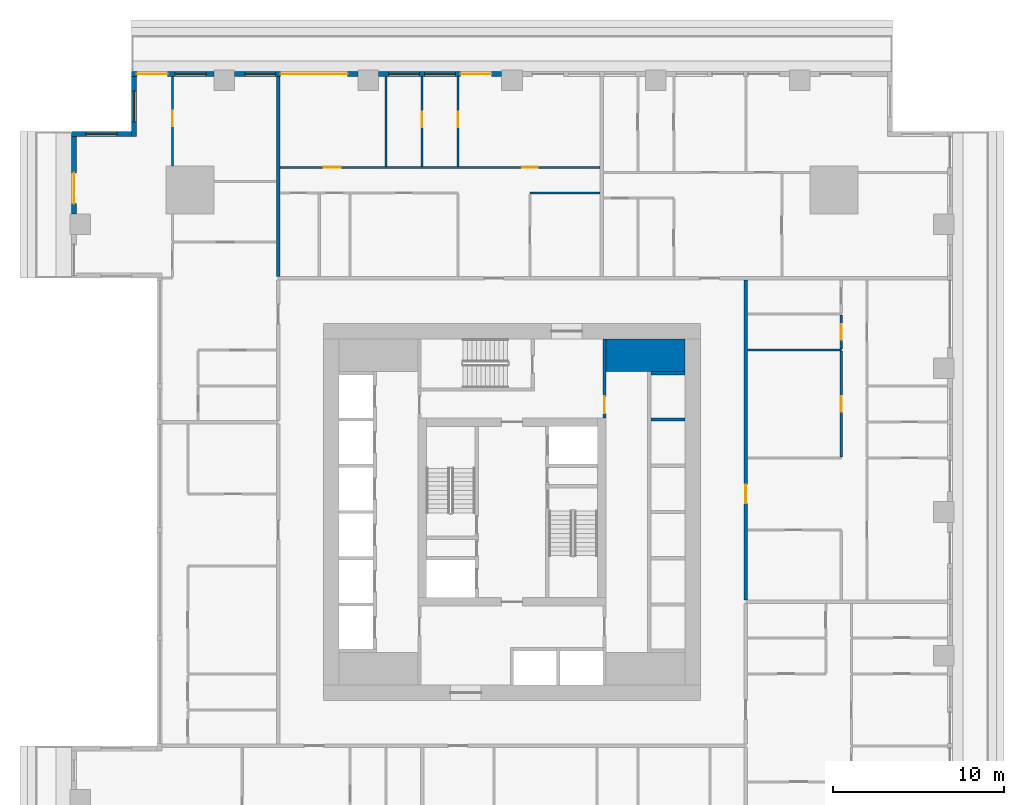
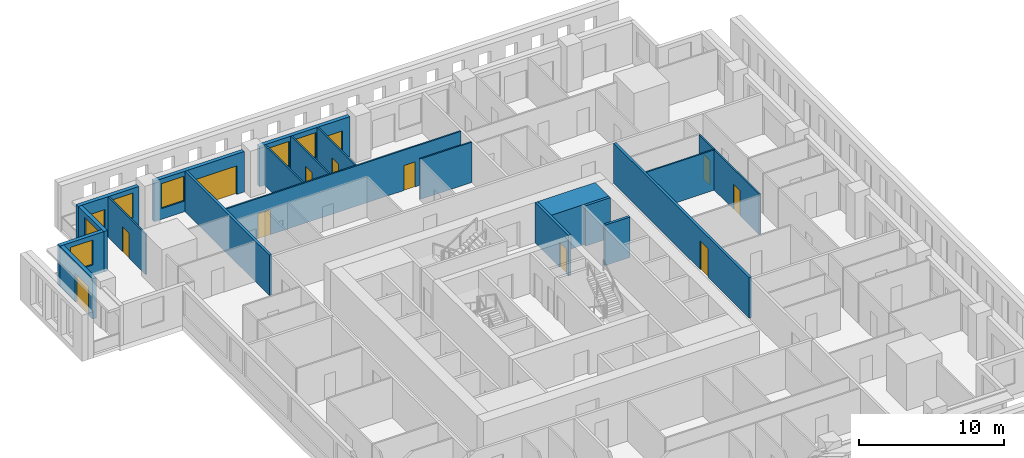
# One storey, part 7 of 14: 21 walls, 13 doors, 6 windows, 19 openings.
"""IFC4 building model written with IfcOpenShell, lengths in metres."""

from ifc_helpers import new_model, si_unit, direction, frame, frame_2d, origin, place, context, subcontext, project, spatial, rectangle, extrude, material, layer, layer_set, type_object, element, fill, save


model = new_model("IFC4")

# Units and contexts
model_context = context("Model", 3, precision=1e-05, world=origin(), true_north=direction((0.0, 1.0)))
body_context = subcontext(model_context, "Body", "Model", "MODEL_VIEW")
ifc_project = project(units=[si_unit("LENGTHUNIT", "METRE"), si_unit("AREAUNIT", "SQUARE_METRE"), si_unit("VOLUMEUNIT", "CUBIC_METRE"), si_unit("PLANEANGLEUNIT", "RADIAN"), si_unit("MASSUNIT", "GRAM", prefix="KILO")], contexts=[model_context])

# Site, building, storey
site_placement = place(None, origin())
site = spatial("IfcSite", under=ifc_project, at=site_placement, CompositionType="ELEMENT")
building_placement = place(site_placement, origin())
building = spatial("IfcBuilding", under=site, at=building_placement, Name="Khepri Terraces", CompositionType="ELEMENT")
storey_placement = place(building_placement, frame((0.0, 0.0, 122.10009765625)))
storey = spatial("IfcBuildingStorey", under=building, at=storey_placement, Name="L29", CompositionType="ELEMENT", Elevation=122.10009765625)

# Walls
ifc_material_1 = material(Name="Concrete C70/85", Category="concrete")
ifc_layer_1 = layer(ifc_material_1, 1.89990234375, Name="Concrete C70/85", Category="concrete")
ifc_layer_set_1 = layer_set([ifc_layer_1], Name="Concrete C70/85")
wall_type_1 = type_object("IfcWallType", Name="Core wall 1900 C70/85", PredefinedType="SHEAR", material=ifc_layer_set_1)
wall_1_placement = place(storey_placement, frame((5.5, 9.14990234375, 0.0), z_axis=(0.0, 0.0, 1.0), x_axis=(1.0, 0.0, 0.0)))
element("IfcWall", 1, at=wall_1_placement, inside=storey, type_object=wall_type_1, Name="Core wall PR04 L29", PredefinedType="SHEAR", context=body_context, shape_type="SweptSolid", body=[
    extrude(rectangle(XDim=4.60009765625, YDim=1.89990234375, at=frame_2d((2.300048828125, 0.0))), origin(), (0.0, 0.0, 1.0), 3.39990234375),
])
ifc_layer_2 = layer(ifc_material_1, 0.199951171875, Name="Concrete C70/85", Category="concrete")
ifc_layer_set_2 = layer_set([ifc_layer_2], Name="Concrete C70/85")
wall_type_2 = type_object("IfcWallType", Name="Core wall 200 C70/85", PredefinedType="SHEAR", material=ifc_layer_set_2)
for number, where, z_axis, x_axis, name in (
    (2, (8.10009765625, 5.39990234375, 0.0), (0.0, 0.0, 1.0), (1.0, 0.0, 0.0), "Core wall SH23 L29"),
    (3, (8.10009765625, 8.10009765625, 0.0), (0.0, 0.0, 1.0), (1.0, 0.0, 0.0), "Core wall SH25 L29"),
):
    element("IfcWall", number, at=place(storey_placement, frame(where, z_axis=z_axis, x_axis=x_axis)), inside=storey, type_object=wall_type_2, Name=name, PredefinedType="SHEAR", context=body_context, shape_type="SweptSolid", body=[
        extrude(rectangle(XDim=2.0, YDim=0.199951171875, at=frame_2d((1.0, 0.0))), origin(), (0.0, 0.0, 1.0), 3.39990234375),
    ])

# Wall, opening, door
ifc_material_2 = material(Name="Fire-rated gypsum board partition")
ifc_layer_3 = layer(ifc_material_2, 0.199951171875, Name="Fire-rated gypsum board partition")
ifc_layer_set_3 = layer_set([ifc_layer_3], Name="Fire-rated gypsum board partition")
wall_type_3 = type_object("IfcWallType", Name="WL-CORE-PART-200", PredefinedType="PARTITIONING", material=ifc_layer_set_3)
wall_2_placement = place(storey_placement, frame((5.39990234375, 5.5, 0.0), z_axis=(0.0, 0.0, 1.0), x_axis=(0.0, 1.0, 0.0)))
wall_2 = element("IfcWall", 4, at=wall_2_placement, inside=storey, type_object=wall_type_3, Name="Core partition PT04 L29", PredefinedType="PARTITIONING", context=body_context, shape_type="SweptSolid", body=[
    extrude(rectangle(XDim=4.60009765625, YDim=0.199951171875, at=frame_2d((2.300048828125, 0.0))), origin(), (0.0, 0.0, 1.0), 3.39990234375),
])
opening_1_placement = place(wall_2_placement, frame((0.25, 0.0, 0.0)))
opening_1 = element("IfcOpeningElement", 5, at=opening_1_placement, cuts=wall_2, Name="Opening L29-C17", PredefinedType="OPENING", context=body_context, shape_type="SweptSolid", body=[
    extrude(rectangle(XDim=1.0, YDim=2.10009765625, at=frame_2d((0.5, 1.050048828125))), frame((0.0, 0.10986328125, 0.0), z_axis=(0.0, -1.0, 0.0), x_axis=(1.0, 0.0, 0.0)), (0.0, 0.0, 1.0), 0.219970703125),
])
ifc_material_3 = material(Name="Painted steel", Category="steel")
door_type_1 = type_object("IfcDoorType", Name="DR-CORE-LOBBY-1000", OperationType="NOTDEFINED", PredefinedType="DOOR", material=ifc_material_3)
door_1_placement = place(opening_1_placement, origin())
door_1 = element("IfcDoor", 6, at=door_1_placement, inside=storey, type_object=door_type_1, Name="Lobby door L29-C17", OperationType="SINGLE_SWING_LEFT", OverallHeight=2.10009765625, OverallWidth=1.0, PredefinedType="DOOR", context=body_context, shape_type="SweptSolid", body=[
    extrude(rectangle(XDim=1.0, YDim=2.10009765625, at=frame_2d((0.5, 1.050048828125))), frame((0.0, 0.02490234375, 0.0), z_axis=(0.0, -1.0, 0.0), x_axis=(1.0, 0.0, 0.0)), (0.0, 0.0, 1.0), 0.050048828125),
])
fill(opening_1, door_1)

ifc_material_4 = material(Name="Fire-rated gypsum plasterboard partition, mineral wool")
ifc_layer_4 = layer(ifc_material_4, 0.199951171875, Name="Fire-rated gypsum plasterboard partition, mineral wool")
ifc_layer_set_4 = layer_set([ifc_layer_4], Name="Fire-rated gypsum plasterboard partition, mineral wool")
wall_type_4 = type_object("IfcWallType", Name="WL-CORR-200", PredefinedType="PARTITIONING", material=ifc_layer_set_4)
wall_3_placement = place(storey_placement, frame((13.64990234375, -5.14990234375, 0.0), z_axis=(0.0, 0.0, 1.0), x_axis=(0.0, 1.0, 0.0)))
wall_3 = element("IfcWall", 7, at=wall_3_placement, inside=storey, type_object=wall_type_4, Name="Partition P-043 L29", PredefinedType="PARTITIONING", context=body_context, shape_type="SweptSolid", body=[
    extrude(rectangle(XDim=18.699951171875, YDim=0.199951171875, at=frame_2d((9.35009765625, 0.0))), origin(), (0.0, 0.0, 1.0), 3.39990234375),
])
opening_2_placement = place(wall_3_placement, frame((5.64990234375, 0.0, 0.0)))
opening_2 = element("IfcOpeningElement", 8, at=opening_2_placement, cuts=wall_3, Name="Opening D1", PredefinedType="OPENING", context=body_context, shape_type="SweptSolid", body=[
    extrude(rectangle(XDim=1.10009765625, YDim=2.39990234375, at=frame_2d((0.550048828125, 1.199951171875))), frame((0.0, 0.10986328125, 0.0), z_axis=(0.0, -1.0, 0.0), x_axis=(1.0, 0.0, 0.0)), (0.0, 0.0, 1.0), 0.219970703125),
])
ifc_material_5 = material(Name="Solid-core timber door leaf, flat entrance door", Category="wood")
door_type_2 = type_object("IfcDoorType", Name="DR-ENT-1100", OperationType="NOTDEFINED", PredefinedType="DOOR", material=ifc_material_5)
door_2_placement = place(opening_2_placement, frame((1.10009765625, 0.0, 0.0), z_axis=(0.0, 0.0, 1.0), x_axis=(-1.0, 0.0, 0.0)))
door_2 = element("IfcDoor", 9, at=door_2_placement, inside=storey, type_object=door_type_2, Name="Flat B2 entrance door", OperationType="SINGLE_SWING_RIGHT", OverallHeight=2.39990234375, OverallWidth=1.10009765625, PredefinedType="DOOR", context=body_context, shape_type="SweptSolid", body=[
    extrude(rectangle(XDim=1.10009765625, YDim=2.39990234375, at=frame_2d((0.550048828125, 1.199951171875))), frame((0.0, 0.02490234375, 0.0), z_axis=(0.0, -1.0, 0.0), x_axis=(1.0, 0.0, 0.0)), (0.0, 0.0, 1.0), 0.050048828125),
])
fill(opening_2, door_2)

# Wall
wall_4_placement = place(storey_placement, frame((-13.64990234375, 13.75, 0.0), z_axis=(0.0, 0.0, 1.0), x_axis=(0.0, 1.0, 0.0)))
element("IfcWall", 10, at=wall_4_placement, inside=storey, type_object=wall_type_4, Name="Partition P-071 L29", PredefinedType="PARTITIONING", context=body_context, shape_type="SweptSolid", body=[
    extrude(rectangle(XDim=11.669921875, YDim=0.199951171875, at=frame_2d((5.8349609375, 0.0))), origin(), (0.0, 0.0, 1.0), 3.39990234375),
])

# Wall, openings, door, windows
ifc_material_6 = material(Name="Precast concrete C50/60 warm stone", Category="masonry")
ifc_layer_5 = layer(ifc_material_6, 0.300048828125, Name="Precast concrete C50/60 warm stone", Category="masonry")
ifc_layer_set_5 = layer_set([ifc_layer_5], Name="Precast concrete C50/60 warm stone")
wall_type_5 = type_object("IfcWallType", Name="WL-EXT-PRECAST-300", PredefinedType="STANDARD", material=ifc_layer_set_5)
wall_5_placement = place(storey_placement, frame((-0.60009765625, 25.570068359375, 0.0), z_axis=(0.0, 0.0, 1.0), x_axis=(-1.0, 0.0, 0.0)))
wall_5 = element("IfcWall", 11, at=wall_5_placement, inside=storey, type_object=wall_type_5, Name="External wall L29 N", PredefinedType="STANDARD", context=body_context, shape_type="SweptSolid", body=[
    extrude(rectangle(XDim=7.199951171875, YDim=0.300048828125, at=frame_2d((3.60009765625, 0.0))), origin(), (0.0, 0.0, 1.0), 3.39990234375),
])
opening_3_placement = place(wall_5_placement, frame((0.60009765625, 0.0, 0.0)))
opening_3 = element("IfcOpeningElement", 12, at=opening_3_placement, cuts=wall_5, Name="Opening ED-L29-12", PredefinedType="OPENING", context=body_context, shape_type="SweptSolid", body=[
    extrude(rectangle(XDim=1.800048828125, YDim=2.39990234375, at=frame_2d((0.89990234375, 1.199951171875))), frame((0.0, 0.16015625, 0.0), z_axis=(0.0, -1.0, 0.0), x_axis=(1.0, 0.0, 0.0)), (0.0, 0.0, 1.0), 0.320068359375),
])
opening_4_placement = place(wall_5_placement, frame((2.699951171875, 0.0, 0.89990234375)))
opening_4 = element("IfcOpeningElement", 13, at=opening_4_placement, cuts=wall_5, Name="Opening W1", PredefinedType="OPENING", context=body_context, shape_type="SweptSolid", body=[
    extrude(rectangle(XDim=1.800048828125, YDim=2.10009765625, at=frame_2d((0.89990234375, 1.050048828125))), frame((0.0, 0.16015625, 0.0), z_axis=(0.0, -1.0, 0.0), x_axis=(1.0, 0.0, 0.0)), (0.0, 0.0, 1.0), 0.320068359375),
])
opening_5_placement = place(wall_5_placement, frame((4.800048828125, 0.0, 0.89990234375)))
opening_5 = element("IfcOpeningElement", 14, at=opening_5_placement, cuts=wall_5, Name="Opening W1", PredefinedType="OPENING", context=body_context, shape_type="SweptSolid", body=[
    extrude(rectangle(XDim=1.800048828125, YDim=2.10009765625, at=frame_2d((0.89990234375, 1.050048828125))), frame((0.0, 0.16015625, 0.0), z_axis=(0.0, -1.0, 0.0), x_axis=(1.0, 0.0, 0.0)), (0.0, 0.0, 1.0), 0.320068359375),
])
ifc_material_7 = material(Name="Anodised aluminium bronze glazed door", Category="aluminium")
door_type_3 = type_object("IfcDoorType", Name="DR-BAL-SLIDE-1800x2400", OperationType="NOTDEFINED", PredefinedType="DOOR", material=ifc_material_7)
door_3_placement = place(opening_3_placement, origin())
door_3 = element("IfcDoor", 15, at=door_3_placement, inside=storey, type_object=door_type_3, Name="Balcony door L29 N", OperationType="SLIDING_TO_LEFT", OverallHeight=2.39990234375, OverallWidth=1.800048828125, PredefinedType="DOOR", context=body_context, shape_type="SweptSolid", body=[
    extrude(rectangle(XDim=1.800048828125, YDim=2.39990234375, at=frame_2d((0.89990234375, 1.199951171875))), frame((0.0, 0.02490234375, 0.0), z_axis=(0.0, -1.0, 0.0), x_axis=(1.0, 0.0, 0.0)), (0.0, 0.0, 1.0), 0.050048828125),
])
fill(opening_3, door_3)
ifc_material_8 = material(Name="Clear glass", Category="glass")
window_type = type_object("IfcWindowType", Name="WIN-RES-1800x2100", PartitioningType="SINGLE_PANEL", PredefinedType="WINDOW", material=ifc_material_8)
window_1_placement = place(opening_4_placement, origin())
window_1 = element("IfcWindow", 16, at=window_1_placement, inside=storey, type_object=window_type, Name="Window L29 N", OverallHeight=2.10009765625, OverallWidth=1.800048828125, PartitioningType="SINGLE_PANEL", PredefinedType="WINDOW", context=body_context, shape_type="SweptSolid", body=[
    extrude(rectangle(XDim=1.800048828125, YDim=2.10009765625, at=frame_2d((0.89990234375, 1.050048828125))), frame((0.0, 0.030029296875, 0.0), z_axis=(0.0, -1.0, 0.0), x_axis=(1.0, 0.0, 0.0)), (0.0, 0.0, 1.0), 0.06005859375),
])
fill(opening_4, window_1)
window_2_placement = place(opening_5_placement, origin())
window_2 = element("IfcWindow", 17, at=window_2_placement, inside=storey, type_object=window_type, Name="Window L29 N", OverallHeight=2.10009765625, OverallWidth=1.800048828125, PartitioningType="SINGLE_PANEL", PredefinedType="WINDOW", context=body_context, shape_type="SweptSolid", body=[
    extrude(rectangle(XDim=1.800048828125, YDim=2.10009765625, at=frame_2d((0.89990234375, 1.050048828125))), frame((0.0, 0.030029296875, 0.0), z_axis=(0.0, -1.0, 0.0), x_axis=(1.0, 0.0, 0.0)), (0.0, 0.0, 1.0), 0.06005859375),
])
fill(opening_5, window_2)

# Wall, openings, door, window
wall_6_placement = place(storey_placement, frame((-9.0, 25.570068359375, 0.0), z_axis=(0.0, 0.0, 1.0), x_axis=(-1.0, 0.0, 0.0)))
wall_6 = element("IfcWall", 18, at=wall_6_placement, inside=storey, type_object=wall_type_5, Name="External wall L29 N", PredefinedType="STANDARD", context=body_context, shape_type="SweptSolid", body=[
    extrude(rectangle(XDim=7.199951171875, YDim=0.300048828125, at=frame_2d((3.60009765625, 0.0))), origin(), (0.0, 0.0, 1.0), 3.39990234375),
])
opening_6_placement = place(wall_6_placement, frame((0.60009765625, 0.0, 0.0)))
opening_6 = element("IfcOpeningElement", 19, at=opening_6_placement, cuts=wall_6, Name="Opening ED-L29-13", PredefinedType="OPENING", context=body_context, shape_type="SweptSolid", body=[
    extrude(rectangle(XDim=3.89990234375, YDim=2.39990234375, at=frame_2d((1.949951171875, 1.199951171875))), frame((0.0, 0.16015625, 0.0), z_axis=(0.0, -1.0, 0.0), x_axis=(1.0, 0.0, 0.0)), (0.0, 0.0, 1.0), 0.320068359375),
])
opening_7_placement = place(wall_6_placement, frame((4.800048828125, 0.0, 0.89990234375)))
opening_7 = element("IfcOpeningElement", 20, at=opening_7_placement, cuts=wall_6, Name="Opening W1", PredefinedType="OPENING", context=body_context, shape_type="SweptSolid", body=[
    extrude(rectangle(XDim=1.800048828125, YDim=2.10009765625, at=frame_2d((0.89990234375, 1.050048828125))), frame((0.0, 0.16015625, 0.0), z_axis=(0.0, -1.0, 0.0), x_axis=(1.0, 0.0, 0.0)), (0.0, 0.0, 1.0), 0.320068359375),
])
door_type_4 = type_object("IfcDoorType", Name="DR-BAL-SLIDE-3900x2400", OperationType="NOTDEFINED", PredefinedType="DOOR", material=ifc_material_7)
door_4_placement = place(opening_6_placement, origin())
door_4 = element("IfcDoor", 21, at=door_4_placement, inside=storey, type_object=door_type_4, Name="Balcony door L29 N", OperationType="SLIDING_TO_LEFT", OverallHeight=2.39990234375, OverallWidth=3.89990234375, PredefinedType="DOOR", context=body_context, shape_type="SweptSolid", body=[
    extrude(rectangle(XDim=3.89990234375, YDim=2.39990234375, at=frame_2d((1.949951171875, 1.199951171875))), frame((0.0, 0.02490234375, 0.0), z_axis=(0.0, -1.0, 0.0), x_axis=(1.0, 0.0, 0.0)), (0.0, 0.0, 1.0), 0.050048828125),
])
fill(opening_6, door_4)
window_3_placement = place(opening_7_placement, origin())
window_3 = element("IfcWindow", 22, at=window_3_placement, inside=storey, type_object=window_type, Name="Window L29 N", OverallHeight=2.10009765625, OverallWidth=1.800048828125, PartitioningType="SINGLE_PANEL", PredefinedType="WINDOW", context=body_context, shape_type="SweptSolid", body=[
    extrude(rectangle(XDim=1.800048828125, YDim=2.10009765625, at=frame_2d((0.89990234375, 1.050048828125))), frame((0.0, 0.030029296875, 0.0), z_axis=(0.0, -1.0, 0.0), x_axis=(1.0, 0.0, 0.0)), (0.0, 0.0, 1.0), 0.06005859375),
])
fill(opening_7, window_3)

wall_7_placement = place(storey_placement, frame((-17.39990234375, 25.570068359375, 0.0), z_axis=(0.0, 0.0, 1.0), x_axis=(-1.0, 0.0, 0.0)))
wall_7 = element("IfcWall", 23, at=wall_7_placement, inside=storey, type_object=wall_type_5, Name="External wall L29 N", PredefinedType="STANDARD", context=body_context, shape_type="SweptSolid", body=[
    extrude(rectangle(XDim=4.820068359375, YDim=0.300048828125, at=frame_2d((2.41015625, 0.0))), origin(), (0.0, 0.0, 1.0), 3.39990234375),
])
opening_8_placement = place(wall_7_placement, frame((2.699951171875, 0.0, 0.0)))
opening_8 = element("IfcOpeningElement", 24, at=opening_8_placement, cuts=wall_7, Name="Opening ED-L29-14", PredefinedType="OPENING", context=body_context, shape_type="SweptSolid", body=[
    extrude(rectangle(XDim=1.800048828125, YDim=2.39990234375, at=frame_2d((0.89990234375, 1.199951171875))), frame((0.0, 0.16015625, 0.0), z_axis=(0.0, -1.0, 0.0), x_axis=(1.0, 0.0, 0.0)), (0.0, 0.0, 1.0), 0.320068359375),
])
opening_9_placement = place(wall_7_placement, frame((0.4599609375, 0.0, 0.89990234375)))
opening_9 = element("IfcOpeningElement", 25, at=opening_9_placement, cuts=wall_7, Name="Opening W1", PredefinedType="OPENING", context=body_context, shape_type="SweptSolid", body=[
    extrude(rectangle(XDim=1.800048828125, YDim=2.10009765625, at=frame_2d((0.89990234375, 1.050048828125))), frame((0.0, 0.16015625, 0.0), z_axis=(0.0, -1.0, 0.0), x_axis=(1.0, 0.0, 0.0)), (0.0, 0.0, 1.0), 0.320068359375),
])
door_5_placement = place(opening_8_placement, origin())
door_5 = element("IfcDoor", 26, at=door_5_placement, inside=storey, type_object=door_type_3, Name="Balcony door L29 N", OperationType="SLIDING_TO_LEFT", OverallHeight=2.39990234375, OverallWidth=1.800048828125, PredefinedType="DOOR", context=body_context, shape_type="SweptSolid", body=[
    extrude(rectangle(XDim=1.800048828125, YDim=2.39990234375, at=frame_2d((0.89990234375, 1.199951171875))), frame((0.0, 0.02490234375, 0.0), z_axis=(0.0, -1.0, 0.0), x_axis=(1.0, 0.0, 0.0)), (0.0, 0.0, 1.0), 0.050048828125),
])
fill(opening_8, door_5)
window_4_placement = place(opening_9_placement, origin())
window_4 = element("IfcWindow", 27, at=window_4_placement, inside=storey, type_object=window_type, Name="Window L29 N", OverallHeight=2.10009765625, OverallWidth=1.800048828125, PartitioningType="SINGLE_PANEL", PredefinedType="WINDOW", context=body_context, shape_type="SweptSolid", body=[
    extrude(rectangle(XDim=1.800048828125, YDim=2.10009765625, at=frame_2d((0.89990234375, 1.050048828125))), frame((0.0, 0.030029296875, 0.0), z_axis=(0.0, -1.0, 0.0), x_axis=(1.0, 0.0, 0.0)), (0.0, 0.0, 1.0), 0.06005859375),
])
fill(opening_9, window_4)

# Wall, opening, window
wall_8_placement = place(storey_placement, frame((-22.070068359375, 25.419921875, 0.0), z_axis=(0.0, 0.0, 1.0), x_axis=(0.0, -1.0, 0.0)))
wall_8 = element("IfcWall", 28, at=wall_8_placement, inside=storey, type_object=wall_type_5, Name="External wall L29 W", PredefinedType="STANDARD", context=body_context, shape_type="SweptSolid", body=[
    extrude(rectangle(XDim=3.5, YDim=0.300048828125, at=frame_2d((1.75, 0.0))), origin(), (0.0, 0.0, 1.0), 3.39990234375),
])
opening_10_placement = place(wall_8_placement, frame((0.85009765625, 0.0, 0.89990234375)))
opening_10 = element("IfcOpeningElement", 29, at=opening_10_placement, cuts=wall_8, Name="Opening W1", PredefinedType="OPENING", context=body_context, shape_type="SweptSolid", body=[
    extrude(rectangle(XDim=1.800048828125, YDim=2.10009765625, at=frame_2d((0.89990234375, 1.050048828125))), frame((0.0, 0.16015625, 0.0), z_axis=(0.0, -1.0, 0.0), x_axis=(1.0, 0.0, 0.0)), (0.0, 0.0, 1.0), 0.320068359375),
])
window_5_placement = place(opening_10_placement, origin())
window_5 = element("IfcWindow", 30, at=window_5_placement, inside=storey, type_object=window_type, Name="Window L29 W", OverallHeight=2.10009765625, OverallWidth=1.800048828125, PartitioningType="SINGLE_PANEL", PredefinedType="WINDOW", context=body_context, shape_type="SweptSolid", body=[
    extrude(rectangle(XDim=1.800048828125, YDim=2.10009765625, at=frame_2d((0.89990234375, 1.050048828125))), frame((0.0, 0.030029296875, 0.0), z_axis=(0.0, -1.0, 0.0), x_axis=(1.0, 0.0, 0.0)), (0.0, 0.0, 1.0), 0.06005859375),
])
fill(opening_10, window_5)

wall_9_placement = place(storey_placement, frame((-22.219970703125, 22.070068359375, 0.0), z_axis=(0.0, 0.0, 1.0), x_axis=(-1.0, 0.0, 0.0)))
wall_9 = element("IfcWall", 31, at=wall_9_placement, inside=storey, type_object=wall_type_5, Name="External wall L29 N", PredefinedType="STANDARD", context=body_context, shape_type="SweptSolid", body=[
    extrude(rectangle(XDim=3.5, YDim=0.300048828125, at=frame_2d((1.75, 0.0))), origin(), (0.0, 0.0, 1.0), 3.39990234375),
])
opening_11_placement = place(wall_9_placement, frame((0.85009765625, 0.0, 0.89990234375)))
opening_11 = element("IfcOpeningElement", 32, at=opening_11_placement, cuts=wall_9, Name="Opening W1", PredefinedType="OPENING", context=body_context, shape_type="SweptSolid", body=[
    extrude(rectangle(XDim=1.800048828125, YDim=2.10009765625, at=frame_2d((0.89990234375, 1.050048828125))), frame((0.0, 0.16015625, 0.0), z_axis=(0.0, -1.0, 0.0), x_axis=(1.0, 0.0, 0.0)), (0.0, 0.0, 1.0), 0.320068359375),
])
window_6_placement = place(opening_11_placement, origin())
window_6 = element("IfcWindow", 33, at=window_6_placement, inside=storey, type_object=window_type, Name="Window L29 N", OverallHeight=2.10009765625, OverallWidth=1.800048828125, PartitioningType="SINGLE_PANEL", PredefinedType="WINDOW", context=body_context, shape_type="SweptSolid", body=[
    extrude(rectangle(XDim=1.800048828125, YDim=2.10009765625, at=frame_2d((0.89990234375, 1.050048828125))), frame((0.0, 0.030029296875, 0.0), z_axis=(0.0, -1.0, 0.0), x_axis=(1.0, 0.0, 0.0)), (0.0, 0.0, 1.0), 0.06005859375),
])
fill(opening_11, window_6)

# Wall, opening, door
wall_10_placement = place(storey_placement, frame((-25.570068359375, 21.919921875, 0.0), z_axis=(0.0, 0.0, 1.0), x_axis=(0.0, -1.0, 0.0)))
wall_10 = element("IfcWall", 34, at=wall_10_placement, inside=storey, type_object=wall_type_5, Name="External wall L29 W", PredefinedType="STANDARD", context=body_context, shape_type="SweptSolid", body=[
    extrude(rectangle(XDim=4.52001953125, YDim=0.300048828125, at=frame_2d((2.260009765625, 0.0))), origin(), (0.0, 0.0, 1.0), 3.39990234375),
])
opening_12_placement = place(wall_10_placement, frame((2.1201171875, 0.0, 0.0)))
opening_12 = element("IfcOpeningElement", 35, at=opening_12_placement, cuts=wall_10, Name="Opening ED-L29-15", PredefinedType="OPENING", context=body_context, shape_type="SweptSolid", body=[
    extrude(rectangle(XDim=1.800048828125, YDim=2.39990234375, at=frame_2d((0.89990234375, 1.199951171875))), frame((0.0, 0.16015625, 0.0), z_axis=(0.0, -1.0, 0.0), x_axis=(1.0, 0.0, 0.0)), (0.0, 0.0, 1.0), 0.320068359375),
])
door_6_placement = place(opening_12_placement, origin())
door_6 = element("IfcDoor", 36, at=door_6_placement, inside=storey, type_object=door_type_3, Name="Balcony door L29 W", OperationType="SLIDING_TO_RIGHT", OverallHeight=2.39990234375, OverallWidth=1.800048828125, PredefinedType="DOOR", context=body_context, shape_type="SweptSolid", body=[
    extrude(rectangle(XDim=1.800048828125, YDim=2.39990234375, at=frame_2d((0.89990234375, 1.199951171875))), frame((0.0, 0.02490234375, 0.0), z_axis=(0.0, -1.0, 0.0), x_axis=(1.0, 0.0, 0.0)), (0.0, 0.0, 1.0), 0.050048828125),
])
fill(opening_12, door_6)

ifc_material_9 = material(Name="Gypsum plasterboard partition")
ifc_layer_6 = layer(ifc_material_9, 0.1201171875, Name="Gypsum plasterboard partition")
ifc_layer_set_6 = layer_set([ifc_layer_6], Name="Gypsum plasterboard partition")
wall_type_6 = type_object("IfcWallType", Name="WL-PART-120", PredefinedType="PARTITIONING", material=ifc_layer_set_6)
wall_11_placement = place(storey_placement, frame((19.219970703125, 3.2099609375, 0.0), z_axis=(0.0, 0.0, 1.0), x_axis=(0.0, 1.0, 0.0)))
wall_11 = element("IfcWall", 37, at=wall_11_placement, inside=storey, type_object=wall_type_6, Name="Partition P-052 L29", PredefinedType="PARTITIONING", context=body_context, shape_type="SweptSolid", body=[
    extrude(rectangle(XDim=6.179931640625, YDim=0.1201171875, at=frame_2d((3.08984375, 0.0))), origin(), (0.0, 0.0, 1.0), 3.39990234375),
])
opening_13_placement = place(wall_11_placement, frame((2.639892578125, 0.0, 0.0)))
opening_13 = element("IfcOpeningElement", 38, at=opening_13_placement, cuts=wall_11, Name="Opening D3", PredefinedType="OPENING", context=body_context, shape_type="SweptSolid", body=[
    extrude(rectangle(XDim=0.89990234375, YDim=2.10009765625, at=frame_2d((0.449951171875, 1.050048828125))), frame((0.0, 0.070068359375, 0.0), z_axis=(0.0, -1.0, 0.0), x_axis=(1.0, 0.0, 0.0)), (0.0, 0.0, 1.0), 0.14013671875),
])
ifc_material_10 = material(Name="Timber door leaf", Category="wood")
door_type_5 = type_object("IfcDoorType", Name="DR-INT-900", OperationType="NOTDEFINED", PredefinedType="DOOR", material=ifc_material_10)
door_7_placement = place(opening_13_placement, origin())
door_7 = element("IfcDoor", 39, at=door_7_placement, inside=storey, type_object=door_type_5, Name="Door Kitchen", OperationType="SINGLE_SWING_LEFT", OverallHeight=2.10009765625, OverallWidth=0.89990234375, PredefinedType="DOOR", context=body_context, shape_type="SweptSolid", body=[
    extrude(rectangle(XDim=0.89990234375, YDim=2.10009765625, at=frame_2d((0.449951171875, 1.050048828125))), frame((0.0, 0.02490234375, 0.0), z_axis=(0.0, -1.0, 0.0), x_axis=(1.0, 0.0, 0.0)), (0.0, 0.0, 1.0), 0.050048828125),
])
fill(opening_13, door_7)

# Wall
wall_12_placement = place(storey_placement, frame((13.75, 9.449951171875, 0.0), z_axis=(0.0, 0.0, 1.0), x_axis=(1.0, 0.0, 0.0)))
element("IfcWall", 40, at=wall_12_placement, inside=storey, type_object=wall_type_6, Name="Partition P-064 L29", PredefinedType="PARTITIONING", context=body_context, shape_type="SweptSolid", body=[
    extrude(rectangle(XDim=5.469970703125, YDim=0.1201171875, at=frame_2d((2.73486328125, 0.0))), origin(), (0.0, 0.0, 1.0), 3.39990234375),
])

# Wall, opening, door
wall_13_placement = place(storey_placement, frame((19.219970703125, 9.510009765625, 0.0), z_axis=(0.0, 0.0, 1.0), x_axis=(0.0, 1.0, 0.0)))
wall_13 = element("IfcWall", 41, at=wall_13_placement, inside=storey, type_object=wall_type_6, Name="Partition P-065 L29", PredefinedType="PARTITIONING", context=body_context, shape_type="SweptSolid", body=[
    extrude(rectangle(XDim=1.97998046875, YDim=0.1201171875, at=frame_2d((0.989990234375, 0.0))), origin(), (0.0, 0.0, 1.0), 3.39990234375),
])
opening_14_placement = place(wall_13_placement, frame((0.5400390625, 0.0, 0.0)))
opening_14 = element("IfcOpeningElement", 42, at=opening_14_placement, cuts=wall_13, Name="Opening D4", PredefinedType="OPENING", context=body_context, shape_type="SweptSolid", body=[
    extrude(rectangle(XDim=0.89990234375, YDim=2.10009765625, at=frame_2d((0.449951171875, 1.050048828125))), frame((0.0, 0.070068359375, 0.0), z_axis=(0.0, -1.0, 0.0), x_axis=(1.0, 0.0, 0.0)), (0.0, 0.0, 1.0), 0.14013671875),
])
ifc_material_11 = material(Name="Timber door leaf, moisture resistant", Category="wood")
door_type_6 = type_object("IfcDoorType", Name="DR-WET-900", OperationType="NOTDEFINED", PredefinedType="DOOR", material=ifc_material_11)
door_8_placement = place(opening_14_placement, origin())
door_8 = element("IfcDoor", 43, at=door_8_placement, inside=storey, type_object=door_type_6, Name="Door Guest Bathroom", OperationType="SINGLE_SWING_RIGHT", OverallHeight=2.10009765625, OverallWidth=0.89990234375, PredefinedType="DOOR", context=body_context, shape_type="SweptSolid", body=[
    extrude(rectangle(XDim=0.89990234375, YDim=2.10009765625, at=frame_2d((0.449951171875, 1.050048828125))), frame((0.0, 0.02490234375, 0.0), z_axis=(0.0, -1.0, 0.0), x_axis=(1.0, 0.0, 0.0)), (0.0, 0.0, 1.0), 0.050048828125),
])
fill(opening_14, door_8)

# Wall
wall_14_placement = place(storey_placement, frame((1.050048828125, 18.6201171875, 0.0), z_axis=(0.0, 0.0, 1.0), x_axis=(1.0, 0.0, 0.0)))
element("IfcWall", 44, at=wall_14_placement, inside=storey, type_object=wall_type_6, Name="Partition P-084 L29", PredefinedType="PARTITIONING", context=body_context, shape_type="SweptSolid", body=[
    extrude(rectangle(XDim=4.099853515625, YDim=0.1201171875, at=frame_2d((2.0498046875, 0.0))), origin(), (0.0, 0.0, 1.0), 3.39990234375),
])

# Wall, openings, doors
wall_15_placement = place(storey_placement, frame((-13.550048828125, 20.1201171875, 0.0), z_axis=(0.0, 0.0, 1.0), x_axis=(1.0, 0.0, 0.0)))
wall_15 = element("IfcWall", 45, at=wall_15_placement, inside=storey, type_object=wall_type_6, Name="Partition P-091 L29", PredefinedType="PARTITIONING", context=body_context, shape_type="SweptSolid", body=[
    extrude(rectangle(XDim=18.699951171875, YDim=0.1201171875, at=frame_2d((9.35009765625, 0.0))), origin(), (0.0, 0.0, 1.0), 3.39990234375),
])
opening_15_placement = place(wall_15_placement, frame((14.14990234375, 0.0, 0.0)))
opening_15 = element("IfcOpeningElement", 46, at=opening_15_placement, cuts=wall_15, Name="Opening D3", PredefinedType="OPENING", context=body_context, shape_type="SweptSolid", body=[
    extrude(rectangle(XDim=0.89990234375, YDim=2.10009765625, at=frame_2d((0.449951171875, 1.050048828125))), frame((0.0, 0.070068359375, 0.0), z_axis=(0.0, -1.0, 0.0), x_axis=(1.0, 0.0, 0.0)), (0.0, 0.0, 1.0), 0.14013671875),
])
opening_16_placement = place(wall_15_placement, frame((2.550048828125, 0.0, 0.0)))
opening_16 = element("IfcOpeningElement", 47, at=opening_16_placement, cuts=wall_15, Name="Opening D2", PredefinedType="OPENING", context=body_context, shape_type="SweptSolid", body=[
    extrude(rectangle(XDim=1.0, YDim=2.10009765625, at=frame_2d((0.5, 1.050048828125))), frame((0.0, 0.070068359375, 0.0), z_axis=(0.0, -1.0, 0.0), x_axis=(1.0, 0.0, 0.0)), (0.0, 0.0, 1.0), 0.14013671875),
])
ifc_material_12 = material(Name="Timber door leaf, living room door", Category="wood")
door_type_7 = type_object("IfcDoorType", Name="DR-INT-1000", OperationType="NOTDEFINED", PredefinedType="DOOR", material=ifc_material_12)
door_9_placement = place(opening_16_placement, origin())
door_9 = element("IfcDoor", 48, at=door_9_placement, inside=storey, type_object=door_type_7, Name="Door Living Room", OperationType="SINGLE_SWING_LEFT", OverallHeight=2.10009765625, OverallWidth=1.0, PredefinedType="DOOR", context=body_context, shape_type="SweptSolid", body=[
    extrude(rectangle(XDim=1.0, YDim=2.10009765625, at=frame_2d((0.5, 1.050048828125))), frame((0.0, 0.02490234375, 0.0), z_axis=(0.0, -1.0, 0.0), x_axis=(1.0, 0.0, 0.0)), (0.0, 0.0, 1.0), 0.050048828125),
])
fill(opening_16, door_9)
door_10_placement = place(opening_15_placement, origin())
door_10 = element("IfcDoor", 49, at=door_10_placement, inside=storey, type_object=door_type_5, Name="Door Master Bedroom", OperationType="SINGLE_SWING_RIGHT", OverallHeight=2.10009765625, OverallWidth=0.89990234375, PredefinedType="DOOR", context=body_context, shape_type="SweptSolid", body=[
    extrude(rectangle(XDim=0.89990234375, YDim=2.10009765625, at=frame_2d((0.449951171875, 1.050048828125))), frame((0.0, 0.02490234375, 0.0), z_axis=(0.0, -1.0, 0.0), x_axis=(1.0, 0.0, 0.0)), (0.0, 0.0, 1.0), 0.050048828125),
])
fill(opening_15, door_10)

# Wall
wall_16_placement = place(storey_placement, frame((-7.35009765625, 20.179931640625, 0.0), z_axis=(0.0, 0.0, 1.0), x_axis=(0.0, 1.0, 0.0)))
element("IfcWall", 50, at=wall_16_placement, inside=storey, type_object=wall_type_6, Name="Partition P-092 L29", PredefinedType="PARTITIONING", context=body_context, shape_type="SweptSolid", body=[
    extrude(rectangle(XDim=5.239990234375, YDim=0.1201171875, at=frame_2d((2.6201171875, 0.0))), origin(), (0.0, 0.0, 1.0), 3.39990234375),
])

# Wall, opening, door
wall_17_placement = place(storey_placement, frame((-5.25, 20.179931640625, 0.0), z_axis=(0.0, 0.0, 1.0), x_axis=(0.0, 1.0, 0.0)))
wall_17 = element("IfcWall", 51, at=wall_17_placement, inside=storey, type_object=wall_type_6, Name="Partition P-093 L29", PredefinedType="PARTITIONING", context=body_context, shape_type="SweptSolid", body=[
    extrude(rectangle(XDim=5.239990234375, YDim=0.1201171875, at=frame_2d((2.6201171875, 0.0))), origin(), (0.0, 0.0, 1.0), 3.39990234375),
])
opening_17_placement = place(wall_17_placement, frame((2.2900390625, 0.0, 0.0)))
opening_17 = element("IfcOpeningElement", 52, at=opening_17_placement, cuts=wall_17, Name="Opening D4", PredefinedType="OPENING", context=body_context, shape_type="SweptSolid", body=[
    extrude(rectangle(XDim=0.89990234375, YDim=2.10009765625, at=frame_2d((0.449951171875, 1.050048828125))), frame((0.0, 0.070068359375, 0.0), z_axis=(0.0, -1.0, 0.0), x_axis=(1.0, 0.0, 0.0)), (0.0, 0.0, 1.0), 0.14013671875),
])
door_11_placement = place(opening_17_placement, origin())
door_11 = element("IfcDoor", 53, at=door_11_placement, inside=storey, type_object=door_type_6, Name="Door Bathroom", OperationType="SINGLE_SWING_RIGHT", OverallHeight=2.10009765625, OverallWidth=0.89990234375, PredefinedType="DOOR", context=body_context, shape_type="SweptSolid", body=[
    extrude(rectangle(XDim=0.89990234375, YDim=2.10009765625, at=frame_2d((0.449951171875, 1.050048828125))), frame((0.0, 0.02490234375, 0.0), z_axis=(0.0, -1.0, 0.0), x_axis=(1.0, 0.0, 0.0)), (0.0, 0.0, 1.0), 0.050048828125),
])
fill(opening_17, door_11)

wall_18_placement = place(storey_placement, frame((-3.14990234375, 20.179931640625, 0.0), z_axis=(0.0, 0.0, 1.0), x_axis=(0.0, 1.0, 0.0)))
wall_18 = element("IfcWall", 54, at=wall_18_placement, inside=storey, type_object=wall_type_6, Name="Partition P-094 L29", PredefinedType="PARTITIONING", context=body_context, shape_type="SweptSolid", body=[
    extrude(rectangle(XDim=5.239990234375, YDim=0.1201171875, at=frame_2d((2.6201171875, 0.0))), origin(), (0.0, 0.0, 1.0), 3.39990234375),
])
opening_18_placement = place(wall_18_placement, frame((2.2900390625, 0.0, 0.0)))
opening_18 = element("IfcOpeningElement", 55, at=opening_18_placement, cuts=wall_18, Name="Opening D3", PredefinedType="OPENING", context=body_context, shape_type="SweptSolid", body=[
    extrude(rectangle(XDim=0.89990234375, YDim=2.10009765625, at=frame_2d((0.449951171875, 1.050048828125))), frame((0.0, 0.070068359375, 0.0), z_axis=(0.0, -1.0, 0.0), x_axis=(1.0, 0.0, 0.0)), (0.0, 0.0, 1.0), 0.14013671875),
])
door_12_placement = place(opening_18_placement, origin())
door_12 = element("IfcDoor", 56, at=door_12_placement, inside=storey, type_object=door_type_5, Name="Door Dressing Room", OperationType="SINGLE_SWING_RIGHT", OverallHeight=2.10009765625, OverallWidth=0.89990234375, PredefinedType="DOOR", context=body_context, shape_type="SweptSolid", body=[
    extrude(rectangle(XDim=0.89990234375, YDim=2.10009765625, at=frame_2d((0.449951171875, 1.050048828125))), frame((0.0, 0.02490234375, 0.0), z_axis=(0.0, -1.0, 0.0), x_axis=(1.0, 0.0, 0.0)), (0.0, 0.0, 1.0), 0.050048828125),
])
fill(opening_18, door_12)

wall_19_placement = place(storey_placement, frame((-19.820068359375, 20.199951171875, 0.0), z_axis=(0.0, 0.0, 1.0), x_axis=(0.0, 1.0, 0.0)))
wall_19 = element("IfcWall", 57, at=wall_19_placement, inside=storey, type_object=wall_type_6, Name="Partition P-095 L29", PredefinedType="PARTITIONING", context=body_context, shape_type="SweptSolid", body=[
    extrude(rectangle(XDim=5.219970703125, YDim=0.1201171875, at=frame_2d((2.60986328125, 0.0))), origin(), (0.0, 0.0, 1.0), 3.39990234375),
])
opening_19_placement = place(wall_19_placement, frame((2.31005859375, 0.0, 0.0)))
opening_19 = element("IfcOpeningElement", 58, at=opening_19_placement, cuts=wall_19, Name="Opening D3", PredefinedType="OPENING", context=body_context, shape_type="SweptSolid", body=[
    extrude(rectangle(XDim=0.89990234375, YDim=2.10009765625, at=frame_2d((0.449951171875, 1.050048828125))), frame((0.0, 0.070068359375, 0.0), z_axis=(0.0, -1.0, 0.0), x_axis=(1.0, 0.0, 0.0)), (0.0, 0.0, 1.0), 0.14013671875),
])
door_13_placement = place(opening_19_placement, frame((0.89990234375, 0.0, 0.0), z_axis=(0.0, 0.0, 1.0), x_axis=(-1.0, 0.0, 0.0)))
door_13 = element("IfcDoor", 59, at=door_13_placement, inside=storey, type_object=door_type_5, Name="Door Staff Bedroom", OperationType="SINGLE_SWING_LEFT", OverallHeight=2.10009765625, OverallWidth=0.89990234375, PredefinedType="DOOR", context=body_context, shape_type="SweptSolid", body=[
    extrude(rectangle(XDim=0.89990234375, YDim=2.10009765625, at=frame_2d((0.449951171875, 1.050048828125))), frame((0.0, 0.02490234375, 0.0), z_axis=(0.0, -1.0, 0.0), x_axis=(1.0, 0.0, 0.0)), (0.0, 0.0, 1.0), 0.050048828125),
])
fill(opening_19, door_13)

save(model, "model.ifc")
